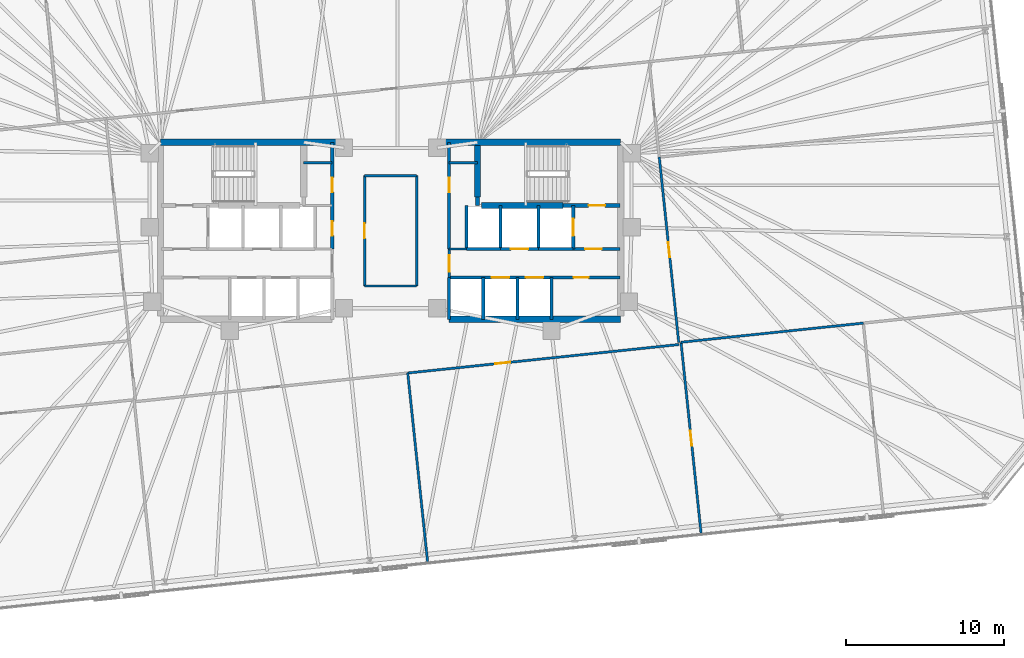
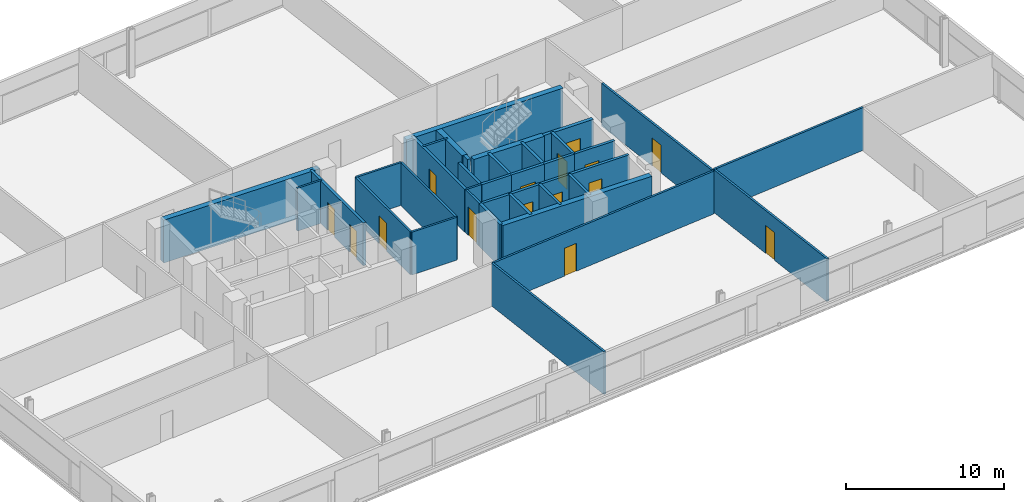
# One storey, part 15 of 18: 35 walls, 15 doors, 15 openings.
"""IFC4 building model written with IfcOpenShell, lengths in metres."""

from ifc_helpers import new_model, si_unit, direction, frame, frame_2d, origin, place, context, subcontext, project, spatial, rectangle, extrude, material, layer, layer_set, type_object, element, fill, save


model = new_model("IFC4")

# Units and contexts
model_context = context("Model", 3, precision=1e-05, world=origin(), true_north=direction((0.0, 1.0)))
body_context = subcontext(model_context, "Body", "Model", "MODEL_VIEW")
ifc_project = project(units=[si_unit("LENGTHUNIT", "METRE"), si_unit("AREAUNIT", "SQUARE_METRE"), si_unit("VOLUMEUNIT", "CUBIC_METRE"), si_unit("PLANEANGLEUNIT", "RADIAN"), si_unit("MASSUNIT", "GRAM", prefix="KILO")], contexts=[model_context])

# Site, building, storey
site_placement = place(None, origin())
site = spatial("IfcSite", under=ifc_project, at=site_placement, CompositionType="ELEMENT")
building_placement = place(site_placement, origin())
building = spatial("IfcBuilding", under=site, at=building_placement, Name="Menara Jurai Vektor", CompositionType="ELEMENT")
storey_placement = place(building_placement, frame((0.0, 0.0, 139.199951171875)))
storey = spatial("IfcBuildingStorey", under=building, at=storey_placement, Name="L35", CompositionType="ELEMENT", Elevation=139.199951171875)

# Wall, opening, door
ifc_material_1 = material(Name="Concrete C40/50", Category="concrete")
ifc_layer_1 = layer(ifc_material_1, 0.25)
ifc_layer_set_1 = layer_set([ifc_layer_1], Name="Concrete C40/50")
wall_type_1 = type_object("IfcWallType", Name="INT-WALL-CORE-250", PredefinedType="STANDARD", material=ifc_layer_set_1)
wall_1_placement = place(storey_placement, frame((10.89990234375, 1.60009765625, 0.0), z_axis=(0.0, 0.0, 1.0), x_axis=(1.0, 0.0, 0.0)))
wall_1 = element("IfcWall", 1, at=wall_1_placement, inside=storey, type_object=wall_type_1, Name="Interior Wall IW-250 L35", PredefinedType="STANDARD", context=body_context, shape_type="SweptSolid", body=[
    extrude(rectangle(XDim=3.60009765625, YDim=0.25, at=frame_2d((1.800048828125, 0.0))), origin(), (0.0, 0.0, 1.0), 3.300048828125),
])
opening_1_placement = place(wall_1_placement, frame((1.6201171875, 0.0, 0.0)))
opening_1 = element("IfcOpeningElement", 2, at=opening_1_placement, cuts=wall_1, Name="Opening D-L35-ST2", PredefinedType="OPENING", context=body_context, shape_type="SweptSolid", body=[
    extrude(rectangle(XDim=1.050048828125, YDim=2.14990234375, at=frame_2d((0.52490234375, 1.074951171875))), frame((0.0, 0.135009765625, 0.0), z_axis=(0.0, -1.0, 0.0), x_axis=(1.0, 0.0, 0.0)), (0.0, 0.0, 1.0), 0.27001953125),
])
ifc_material_2 = material(Name="Fire-Rated Steel Door", Category="steel")
door_type_1 = type_object("IfcDoorType", Name="DR-STAIR-1050", OperationType="NOTDEFINED", PredefinedType="DOOR", material=ifc_material_2)
door_1_placement = place(opening_1_placement, origin())
door_1 = element("IfcDoor", 3, at=door_1_placement, inside=storey, type_object=door_type_1, Name="Exit Stair ST2 Door L35", OperationType="SINGLE_SWING_LEFT", OverallHeight=2.14990234375, OverallWidth=1.050048828125, PredefinedType="DOOR", context=body_context, shape_type="SweptSolid", body=[
    extrude(rectangle(XDim=1.050048828125, YDim=2.14990234375, at=frame_2d((0.52490234375, 1.074951171875))), frame((0.0, 0.02490234375, 0.0), z_axis=(0.0, -1.0, 0.0), x_axis=(1.0, 0.0, 0.0)), (0.0, 0.0, 1.0), 0.050048828125),
])
fill(opening_1, door_1)

# Wall
wall_2_placement = place(storey_placement, frame((5.5, 1.60009765625, 0.0), z_axis=(0.0, 0.0, 1.0), x_axis=(0.0, 1.0, 0.0)))
element("IfcWall", 4, at=wall_2_placement, inside=storey, type_object=wall_type_1, Name="Interior Wall IW-250 L35", PredefinedType="STANDARD", context=body_context, shape_type="SweptSolid", body=[
    extrude(rectangle(XDim=0.5498046875, YDim=0.25, at=frame_2d((0.27490234375, 0.0))), origin(), (0.0, 0.0, 1.0), 3.300048828125),
])

# Wall, opening, door
wall_3_placement = place(storey_placement, frame((11.550048828125, -1.14990234375, 0.0), z_axis=(0.0, 0.0, 1.0), x_axis=(0.0, 1.0, 0.0)))
wall_3 = element("IfcWall", 5, at=wall_3_placement, inside=storey, type_object=wall_type_1, Name="Interior Wall IW-250 L35", PredefinedType="STANDARD", context=body_context, shape_type="SweptSolid", body=[
    extrude(rectangle(XDim=2.75, YDim=0.199951171875, at=frame_2d((1.375, 0.0))), origin(), (0.0, 0.0, 1.0), 3.300048828125),
])
opening_2_placement = place(wall_3_placement, frame((0.824951171875, 0.0, 0.0)))
opening_2 = element("IfcOpeningElement", 6, at=opening_2_placement, cuts=wall_3, Name="Opening LD-L35-FL2", PredefinedType="OPENING", context=body_context, shape_type="SweptSolid", body=[
    extrude(rectangle(XDim=1.10009765625, YDim=2.14990234375, at=frame_2d((0.550048828125, 1.074951171875))), frame((0.0, 0.10986328125, 0.0), z_axis=(0.0, -1.0, 0.0), x_axis=(1.0, 0.0, 0.0)), (0.0, 0.0, 1.0), 0.219970703125),
])
ifc_material_3 = material(Name="Stainless Steel Sliding Lift Landing Door", Category="steel")
door_type_2 = type_object("IfcDoorType", Name="DR-LIFT-FIRE-1100", OperationType="NOTDEFINED", PredefinedType="DOOR", material=ifc_material_3)
door_2_placement = place(opening_2_placement, origin())
door_2 = element("IfcDoor", 7, at=door_2_placement, inside=storey, type_object=door_type_2, Name="Lift Landing Door FL2 L35", OperationType="SLIDING_TO_RIGHT", OverallHeight=2.14990234375, OverallWidth=1.10009765625, PredefinedType="DOOR", context=body_context, shape_type="SweptSolid", body=[
    extrude(rectangle(XDim=1.10009765625, YDim=2.14990234375, at=frame_2d((0.550048828125, 1.074951171875))), frame((0.0, 0.02490234375, 0.0), z_axis=(0.0, -1.0, 0.0), x_axis=(1.0, 0.0, 0.0)), (0.0, 0.0, 1.0), 0.050048828125),
])
fill(opening_2, door_2)

# Wall
wall_4_placement = place(storey_placement, frame((9.35009765625, -1.14990234375, 0.0), z_axis=(0.0, 0.0, 1.0), x_axis=(0.0, 1.0, 0.0)))
element("IfcWall", 8, at=wall_4_placement, inside=storey, type_object=wall_type_1, Name="Interior Wall IW-250 L35", PredefinedType="STANDARD", context=body_context, shape_type="SweptSolid", body=[
    extrude(rectangle(XDim=2.75, YDim=0.199951171875, at=frame_2d((1.375, 0.0))), origin(), (0.0, 0.0, 1.0), 3.300048828125),
])

# Wall, opening, door
wall_5_placement = place(storey_placement, frame((11.550048828125, -1.14990234375, 0.0), z_axis=(0.0, 0.0, 1.0), x_axis=(1.0, 0.0, 0.0)))
wall_5 = element("IfcWall", 9, at=wall_5_placement, inside=storey, type_object=wall_type_1, Name="Interior Wall IW-250 L35", PredefinedType="STANDARD", context=body_context, shape_type="SweptSolid", body=[
    extrude(rectangle(XDim=2.949951171875, YDim=0.199951171875, at=frame_2d((1.47509765625, 0.0))), origin(), (0.0, 0.0, 1.0), 3.300048828125),
])
opening_3_placement = place(wall_5_placement, frame((0.75, 0.0, 0.0)))
opening_3 = element("IfcOpeningElement", 10, at=opening_3_placement, cuts=wall_5, Name="Opening D-L35-FFE", PredefinedType="OPENING", context=body_context, shape_type="SweptSolid", body=[
    extrude(rectangle(XDim=1.050048828125, YDim=2.179931640625, at=frame_2d((0.52490234375, 1.08984375))), frame((0.0, 0.10986328125, 0.0), z_axis=(0.0, -1.0, 0.0), x_axis=(1.0, 0.0, 0.0)), (0.0, 0.0, 1.0), 0.219970703125),
])
ifc_material_4 = material(Name="Fire-Rated Timber Door", Category="wood")
door_type_3 = type_object("IfcDoorType", Name="DR-LOBBY-1050", OperationType="NOTDEFINED", PredefinedType="DOOR", material=ifc_material_4)
door_3_placement = place(opening_3_placement, origin())
door_3 = element("IfcDoor", 11, at=door_3_placement, inside=storey, type_object=door_type_3, Name="Fire Lift Lobby Door E L35", OperationType="SINGLE_SWING_LEFT", OverallHeight=2.179931640625, OverallWidth=1.050048828125, PredefinedType="DOOR", context=body_context, shape_type="SweptSolid", body=[
    extrude(rectangle(XDim=1.050048828125, YDim=2.179931640625, at=frame_2d((0.52490234375, 1.08984375))), frame((0.0, 0.02490234375, 0.0), z_axis=(0.0, -1.0, 0.0), x_axis=(1.0, 0.0, 0.0)), (0.0, 0.0, 1.0), 0.050048828125),
])
fill(opening_3, door_3)

# Wall
wall_6_placement = place(storey_placement, frame((9.35009765625, -1.14990234375, 0.0), z_axis=(0.0, 0.0, 1.0), x_axis=(1.0, 0.0, 0.0)))
element("IfcWall", 12, at=wall_6_placement, inside=storey, type_object=wall_type_1, Name="Interior Wall IW-250 L35", PredefinedType="STANDARD", context=body_context, shape_type="SweptSolid", body=[
    extrude(rectangle(XDim=2.199951171875, YDim=0.199951171875, at=frame_2d((1.10009765625, 0.0))), origin(), (0.0, 0.0, 1.0), 3.300048828125),
])

# Wall, opening, door
ifc_material_5 = material(Name="Gypsum Fireboard Partition", Category="gypsum")
ifc_layer_2 = layer(ifc_material_5, 0.14990234375)
ifc_layer_set_2 = layer_set([ifc_layer_2], Name="Gypsum Fireboard Partition")
wall_type_2 = type_object("IfcWallType", Name="INT-WALL-CORR-150", PredefinedType="PARTITIONING", material=ifc_layer_set_2)
wall_7_placement = place(storey_placement, frame((3.699951171875, -2.949951171875, 0.0), z_axis=(0.0, 0.0, 1.0), x_axis=(0.0, 1.0, 0.0)))
wall_7 = element("IfcWall", 13, at=wall_7_placement, inside=storey, type_object=wall_type_2, Name="Interior Wall IW-150 L35", PredefinedType="PARTITIONING", context=body_context, shape_type="SweptSolid", body=[
    extrude(rectangle(XDim=1.800048828125, YDim=0.14990234375, at=frame_2d((0.89990234375, 0.0))), origin(), (0.0, 0.0, 1.0), 3.300048828125),
])
opening_4_placement = place(wall_7_placement, frame((0.35009765625, 0.0, 0.0)))
opening_4 = element("IfcOpeningElement", 14, at=opening_4_placement, cuts=wall_7, Name="Opening D-L35-LLE", PredefinedType="OPENING", context=body_context, shape_type="SweptSolid", body=[
    extrude(rectangle(XDim=1.050048828125, YDim=2.179931640625, at=frame_2d((0.52490234375, 1.08984375))), frame((0.0, 0.0849609375, 0.0), z_axis=(0.0, -1.0, 0.0), x_axis=(1.0, 0.0, 0.0)), (0.0, 0.0, 1.0), 0.169921875),
])
door_4_placement = place(opening_4_placement, frame((1.050048828125, 0.0, 0.0), z_axis=(0.0, 0.0, 1.0), x_axis=(-1.0, 0.0, 0.0)))
door_4 = element("IfcDoor", 15, at=door_4_placement, inside=storey, type_object=door_type_3, Name="Lift Lobby Corridor Door E L35", OperationType="SINGLE_SWING_RIGHT", OverallHeight=2.179931640625, OverallWidth=1.050048828125, PredefinedType="DOOR", context=body_context, shape_type="SweptSolid", body=[
    extrude(rectangle(XDim=1.050048828125, YDim=2.179931640625, at=frame_2d((0.52490234375, 1.08984375))), frame((0.0, 0.02490234375, 0.0), z_axis=(0.0, -1.0, 0.0), x_axis=(1.0, 0.0, 0.0)), (0.0, 0.0, 1.0), 0.050048828125),
])
fill(opening_4, door_4)

# Walls
wall_8_placement = place(storey_placement, frame((3.699951171875, -1.14990234375, 0.0), z_axis=(0.0, 0.0, 1.0), x_axis=(1.0, 0.0, 0.0)))
element("IfcWall", 16, at=wall_8_placement, inside=storey, type_object=wall_type_2, Name="Interior Wall IW-150 L35", PredefinedType="PARTITIONING", context=body_context, shape_type="SweptSolid", body=[
    extrude(rectangle(XDim=1.090087890625, YDim=0.14990234375, at=frame_2d((0.544921875, 0.0))), origin(), (0.0, 0.0, 1.0), 3.300048828125),
])
for number, where, z_axis, x_axis, name in (
    (17, (-5.5, 4.300048828125, 0.0), (0.0, 0.0, 1.0), (1.0, 0.0, 0.0), "Interior Wall IW-150 L35"),
    (18, (3.699951171875, 4.300048828125, 0.0), (0.0, 0.0, 1.0), (1.0, 0.0, 0.0), "Interior Wall IW-150 L35"),
):
    element("IfcWall", number, at=place(storey_placement, frame(where, z_axis=z_axis, x_axis=x_axis)), inside=storey, type_object=wall_type_2, Name=name, PredefinedType="PARTITIONING", context=body_context, shape_type="SweptSolid", body=[
        extrude(rectangle(XDim=1.800048828125, YDim=0.14990234375, at=frame_2d((0.89990234375, 0.0))), origin(), (0.0, 0.0, 1.0), 3.300048828125),
    ])

# Wall, opening, door
wall_9_placement = place(storey_placement, frame((-1.649658203125, -3.490478515625, 0.0), z_axis=(0.0, 0.0, 1.0), x_axis=(-0.000104928124, 0.999999994495, 0.0)))
wall_9 = element("IfcWall", 19, at=wall_9_placement, inside=storey, type_object=wall_type_2, Name="Interior Wall IW-150 L35", PredefinedType="PARTITIONING", context=body_context, shape_type="SweptSolid", body=[
    extrude(rectangle(XDim=6.980224609375, YDim=0.14990234375, at=frame_2d((3.490234375, 0.0))), origin(), (0.0, 0.0, 1.0), 3.300048828125),
])
opening_5_placement = place(wall_9_placement, frame((3.01513671875, 0.0, 0.0)))
opening_5 = element("IfcOpeningElement", 20, at=opening_5_placement, cuts=wall_9, Name="Opening D35-06", PredefinedType="OPENING", context=body_context, shape_type="SweptSolid", body=[
    extrude(rectangle(XDim=0.949951171875, YDim=2.14990234375, at=frame_2d((0.47509765625, 1.074951171875))), frame((0.0, 0.0849609375, 0.0), z_axis=(0.0, -1.0, 0.0), x_axis=(1.0, 0.0, 0.0)), (0.0, 0.0, 1.0), 0.169921875),
])
ifc_material_6 = material(Name="Solid Core Timber Fire Door", Category="wood")
door_type_4 = type_object("IfcDoorType", Name="DR-ENTRY-950", OperationType="NOTDEFINED", PredefinedType="DOOR", material=ifc_material_6)
door_5_placement = place(opening_5_placement, origin())
door_5 = element("IfcDoor", 21, at=door_5_placement, inside=storey, type_object=door_type_4, Name="Interior Door D35-06", OperationType="SINGLE_SWING_LEFT", OverallHeight=2.14990234375, OverallWidth=0.949951171875, PredefinedType="DOOR", context=body_context, shape_type="SweptSolid", body=[
    extrude(rectangle(XDim=0.949951171875, YDim=2.14990234375, at=frame_2d((0.47509765625, 1.074951171875))), frame((0.0, 0.02490234375, 0.0), z_axis=(0.0, -1.0, 0.0), x_axis=(1.0, 0.0, 0.0)), (0.0, 0.0, 1.0), 0.050048828125),
])
fill(opening_5, door_5)

# Walls
wall_10_placement = place(storey_placement, frame((-1.649658203125, -3.490478515625, 0.0), z_axis=(0.0, 0.0, 1.0), x_axis=(1.0, 0.0, 0.0)))
element("IfcWall", 22, at=wall_10_placement, inside=storey, type_object=wall_type_2, Name="Interior Wall IW-150 L35", PredefinedType="PARTITIONING", context=body_context, shape_type="SweptSolid", body=[
    extrude(rectangle(XDim=3.300048828125, YDim=0.14990234375, at=frame_2d((1.64990234375, 0.0))), origin(), (0.0, 0.0, 1.0), 3.300048828125),
])
wall_11_placement = place(storey_placement, frame((-1.650390625, 3.48974609375, 0.0), z_axis=(0.0, 0.0, 1.0), x_axis=(1.0, 0.0, 0.0)))
element("IfcWall", 23, at=wall_11_placement, inside=storey, type_object=wall_type_2, Name="Interior Wall IW-150 L35", PredefinedType="PARTITIONING", context=body_context, shape_type="SweptSolid", body=[
    extrude(rectangle(XDim=3.30029296875, YDim=0.14990234375, at=frame_2d((1.650146484375, 0.0))), origin(), (0.0, 0.0, 1.0), 3.300048828125),
])
wall_12_placement = place(storey_placement, frame((1.650390625, -3.490478515625, 0.0), z_axis=(0.0, 0.0, 1.0), x_axis=(-6.9952083e-05, 0.999999997553, 0.0)))
element("IfcWall", 24, at=wall_12_placement, inside=storey, type_object=wall_type_2, Name="Interior Wall IW-150 L35", PredefinedType="PARTITIONING", context=body_context, shape_type="SweptSolid", body=[
    extrude(rectangle(XDim=6.980224609375, YDim=0.14990234375, at=frame_2d((3.490234375, 0.0))), origin(), (0.0, 0.0, 1.0), 3.300048828125),
])

# Wall, opening, door
wall_13_placement = place(storey_placement, frame((1.08203125, -8.9990234375, 0.0), z_axis=(0.0, 0.0, 1.0), x_axis=(0.994522803526, 0.104519822363, 0.0)))
wall_13 = element("IfcWall", 25, at=wall_13_placement, inside=storey, type_object=wall_type_2, Name="Interior Wall IW-150 L35", PredefinedType="PARTITIONING", context=body_context, shape_type="SweptSolid", body=[
    extrude(rectangle(XDim=17.257080078125, YDim=0.14990234375, at=frame_2d((8.62841796875, 0.0))), origin(), (0.0, 0.0, 1.0), 3.300048828125),
])
opening_6_placement = place(wall_13_placement, frame((5.56494140625, 0.0, 0.0)))
opening_6 = element("IfcOpeningElement", 26, at=opening_6_placement, cuts=wall_13, Name="Opening D35-11", PredefinedType="OPENING", context=body_context, shape_type="SweptSolid", body=[
    extrude(rectangle(XDim=0.949951171875, YDim=2.14990234375, at=frame_2d((0.47509765625, 1.074951171875))), frame((0.0, 0.0849609375, 0.0), z_axis=(0.0, -1.0, 0.0), x_axis=(1.0, 0.0, 0.0)), (0.0, 0.0, 1.0), 0.169921875),
])
door_6_placement = place(opening_6_placement, origin())
door_6 = element("IfcDoor", 27, at=door_6_placement, inside=storey, type_object=door_type_4, Name="Interior Door D35-11", OperationType="SINGLE_SWING_RIGHT", OverallHeight=2.14990234375, OverallWidth=0.949951171875, PredefinedType="DOOR", context=body_context, shape_type="SweptSolid", body=[
    extrude(rectangle(XDim=0.949951171875, YDim=2.14990234375, at=frame_2d((0.47509765625, 1.074951171875))), frame((0.0, 0.02490234375, 0.0), z_axis=(0.0, -1.0, 0.0), x_axis=(1.0, 0.0, 0.0)), (0.0, 0.0, 1.0), 0.050048828125),
])
fill(opening_6, door_6)

wall_14_placement = place(storey_placement, frame((18.231201171875, -7.06787109375, 0.0), z_axis=(0.0, 0.0, 1.0), x_axis=(-0.104536082083, 0.994521094569, 0.0)))
wall_14 = element("IfcWall", 28, at=wall_14_placement, inside=storey, type_object=wall_type_2, Name="Interior Wall IW-150 L35", PredefinedType="PARTITIONING", context=body_context, shape_type="SweptSolid", body=[
    extrude(rectangle(XDim=11.794189453125, YDim=0.14990234375, at=frame_2d((5.89697265625, 0.0))), origin(), (0.0, 0.0, 1.0), 3.300048828125),
])
opening_7_placement = place(wall_14_placement, frame((5.422119140625, 0.0, 0.0)))
opening_7 = element("IfcOpeningElement", 29, at=opening_7_placement, cuts=wall_14, Name="Opening D35-15", PredefinedType="OPENING", context=body_context, shape_type="SweptSolid", body=[
    extrude(rectangle(XDim=0.949951171875, YDim=2.14990234375, at=frame_2d((0.47509765625, 1.074951171875))), frame((0.0, 0.0849609375, 0.0), z_axis=(0.0, -1.0, 0.0), x_axis=(1.0, 0.0, 0.0)), (0.0, 0.0, 1.0), 0.169921875),
])
door_7_placement = place(opening_7_placement, origin())
door_7 = element("IfcDoor", 30, at=door_7_placement, inside=storey, type_object=door_type_4, Name="Interior Door D35-15", OperationType="SINGLE_SWING_RIGHT", OverallHeight=2.14990234375, OverallWidth=0.949951171875, PredefinedType="DOOR", context=body_context, shape_type="SweptSolid", body=[
    extrude(rectangle(XDim=0.949951171875, YDim=2.14990234375, at=frame_2d((0.47509765625, 1.074951171875))), frame((0.0, 0.02490234375, 0.0), z_axis=(0.0, -1.0, 0.0), x_axis=(1.0, 0.0, 0.0)), (0.0, 0.0, 1.0), 0.050048828125),
])
fill(opening_7, door_7)

# Wall
wall_15_placement = place(storey_placement, frame((2.34619140625, -21.02587890625, 0.0), z_axis=(0.0, 0.0, 1.0), x_axis=(-0.104535555083, 0.994521149963, 0.0)))
element("IfcWall", 31, at=wall_15_placement, inside=storey, type_object=wall_type_2, Name="Interior Wall IW-150 L35", PredefinedType="PARTITIONING", context=body_context, shape_type="SweptSolid", body=[
    extrude(rectangle(XDim=12.093017578125, YDim=0.14990234375, at=frame_2d((6.04638671875, 0.0))), origin(), (0.0, 0.0, 1.0), 3.300048828125),
])

# Wall, opening, door
wall_16_placement = place(storey_placement, frame((19.65087890625, -19.20703125, 0.0), z_axis=(0.0, 0.0, 1.0), x_axis=(-0.104540236679, 0.994520657862, 0.0)))
wall_16 = element("IfcWall", 32, at=wall_16_placement, inside=storey, type_object=wall_type_2, Name="Interior Wall IW-150 L35", PredefinedType="PARTITIONING", context=body_context, shape_type="SweptSolid", body=[
    extrude(rectangle(XDim=12.220947265625, YDim=0.14990234375, at=frame_2d((6.1103515625, 0.0))), origin(), (0.0, 0.0, 1.0), 3.300048828125),
])
opening_8_placement = place(wall_16_placement, frame((5.635498046875, 0.0, 0.0)))
opening_8 = element("IfcOpeningElement", 33, at=opening_8_placement, cuts=wall_16, Name="Opening D35-20", PredefinedType="OPENING", context=body_context, shape_type="SweptSolid", body=[
    extrude(rectangle(XDim=0.949951171875, YDim=2.14990234375, at=frame_2d((0.47509765625, 1.074951171875))), frame((0.0, 0.0849609375, 0.0), z_axis=(0.0, -1.0, 0.0), x_axis=(1.0, 0.0, 0.0)), (0.0, 0.0, 1.0), 0.169921875),
])
door_8_placement = place(opening_8_placement, origin())
door_8 = element("IfcDoor", 34, at=door_8_placement, inside=storey, type_object=door_type_4, Name="Interior Door D35-20", OperationType="SINGLE_SWING_LEFT", OverallHeight=2.14990234375, OverallWidth=0.949951171875, PredefinedType="DOOR", context=body_context, shape_type="SweptSolid", body=[
    extrude(rectangle(XDim=0.949951171875, YDim=2.14990234375, at=frame_2d((0.47509765625, 1.074951171875))), frame((0.0, 0.02490234375, 0.0), z_axis=(0.0, -1.0, 0.0), x_axis=(1.0, 0.0, 0.0)), (0.0, 0.0, 1.0), 0.050048828125),
])
fill(opening_8, door_8)

# Wall
wall_17_placement = place(storey_placement, frame((18.373291015625, -7.052978515625, 0.0), z_axis=(0.0, 0.0, 1.0), x_axis=(0.994521010406, 0.104536882776, 0.0)))
element("IfcWall", 35, at=wall_17_placement, inside=storey, type_object=wall_type_2, Name="Interior Wall IW-150 L35", PredefinedType="PARTITIONING", context=body_context, shape_type="SweptSolid", body=[
    extrude(rectangle(XDim=11.60009765625, YDim=0.14990234375, at=frame_2d((5.800048828125, 0.0))), origin(), (0.0, 0.0, 1.0), 3.300048828125),
])

# Wall, openings, doors
ifc_layer_3 = layer(ifc_material_1, 0.199951171875)
ifc_layer_set_3 = layer_set([ifc_layer_3], Name="Concrete C40/50")
wall_type_3 = type_object("IfcWallType", Name="INT-WALL-SHAFT-200", PredefinedType="STANDARD", material=ifc_layer_set_3)
wall_18_placement = place(storey_placement, frame((-3.699951171875, -1.14990234375, 0.0), z_axis=(0.0, 0.0, 1.0), x_axis=(0.0, 1.0, 0.0)))
wall_18 = element("IfcWall", 36, at=wall_18_placement, inside=storey, type_object=wall_type_3, Name="Interior Wall IW-200 L35", PredefinedType="STANDARD", context=body_context, shape_type="SweptSolid", body=[
    extrude(rectangle(XDim=6.75, YDim=0.199951171875, at=frame_2d((3.375, 0.0))), origin(), (0.0, 0.0, 1.0), 3.300048828125),
])
opening_9_placement = place(wall_18_placement, frame((3.60009765625, 0.0, 0.0)))
opening_9 = element("IfcOpeningElement", 37, at=opening_9_placement, cuts=wall_18, Name="Opening D35-02", PredefinedType="OPENING", context=body_context, shape_type="SweptSolid", body=[
    extrude(rectangle(XDim=0.919921875, YDim=2.14990234375, at=frame_2d((0.4599609375, 1.074951171875))), frame((0.0, 0.10986328125, 0.0), z_axis=(0.0, -1.0, 0.0), x_axis=(1.0, 0.0, 0.0)), (0.0, 0.0, 1.0), 0.219970703125),
])
opening_10_placement = place(wall_18_placement, frame((0.85009765625, 0.0, 0.0)))
opening_10 = element("IfcOpeningElement", 38, at=opening_10_placement, cuts=wall_18, Name="Opening D35-03", PredefinedType="OPENING", context=body_context, shape_type="SweptSolid", body=[
    extrude(rectangle(XDim=0.89990234375, YDim=2.14990234375, at=frame_2d((0.449951171875, 1.074951171875))), frame((0.0, 0.10986328125, 0.0), z_axis=(0.0, -1.0, 0.0), x_axis=(1.0, 0.0, 0.0)), (0.0, 0.0, 1.0), 0.219970703125),
])
door_9_placement = place(opening_9_placement, origin())
door_9 = element("IfcDoor", 39, at=door_9_placement, inside=storey, type_object=door_type_4, Name="Interior Door D35-02", OperationType="SINGLE_SWING_LEFT", OverallHeight=2.14990234375, OverallWidth=0.919921875, PredefinedType="DOOR", context=body_context, shape_type="SweptSolid", body=[
    extrude(rectangle(XDim=0.919921875, YDim=2.14990234375, at=frame_2d((0.4599609375, 1.074951171875))), frame((0.0, 0.02490234375, 0.0), z_axis=(0.0, -1.0, 0.0), x_axis=(1.0, 0.0, 0.0)), (0.0, 0.0, 1.0), 0.050048828125),
])
fill(opening_9, door_9)
door_10_placement = place(opening_10_placement, origin())
door_10 = element("IfcDoor", 40, at=door_10_placement, inside=storey, type_object=door_type_4, Name="Interior Door D35-03", OperationType="SINGLE_SWING_LEFT", OverallHeight=2.14990234375, OverallWidth=0.89990234375, PredefinedType="DOOR", context=body_context, shape_type="SweptSolid", body=[
    extrude(rectangle(XDim=0.89990234375, YDim=2.14990234375, at=frame_2d((0.449951171875, 1.074951171875))), frame((0.0, 0.02490234375, 0.0), z_axis=(0.0, -1.0, 0.0), x_axis=(1.0, 0.0, 0.0)), (0.0, 0.0, 1.0), 0.050048828125),
])
fill(opening_10, door_10)

# Wall, opening, door
wall_19_placement = place(storey_placement, frame((3.699951171875, -1.14990234375, 0.0), z_axis=(0.0, 0.0, 1.0), x_axis=(0.0, 1.0, 0.0)))
wall_19 = element("IfcWall", 41, at=wall_19_placement, inside=storey, type_object=wall_type_3, Name="Interior Wall IW-200 L35", PredefinedType="STANDARD", context=body_context, shape_type="SweptSolid", body=[
    extrude(rectangle(XDim=6.75, YDim=0.199951171875, at=frame_2d((3.375, 0.0))), origin(), (0.0, 0.0, 1.0), 3.300048828125),
])
opening_11_placement = place(wall_19_placement, frame((3.60009765625, 0.0, 0.0)))
opening_11 = element("IfcOpeningElement", 42, at=opening_11_placement, cuts=wall_19, Name="Opening D35-05", PredefinedType="OPENING", context=body_context, shape_type="SweptSolid", body=[
    extrude(rectangle(XDim=0.919921875, YDim=2.14990234375, at=frame_2d((0.4599609375, 1.074951171875))), frame((0.0, 0.10986328125, 0.0), z_axis=(0.0, -1.0, 0.0), x_axis=(1.0, 0.0, 0.0)), (0.0, 0.0, 1.0), 0.219970703125),
])
door_11_placement = place(opening_11_placement, origin())
door_11 = element("IfcDoor", 43, at=door_11_placement, inside=storey, type_object=door_type_4, Name="Interior Door D35-05", OperationType="SINGLE_SWING_RIGHT", OverallHeight=2.14990234375, OverallWidth=0.919921875, PredefinedType="DOOR", context=body_context, shape_type="SweptSolid", body=[
    extrude(rectangle(XDim=0.919921875, YDim=2.14990234375, at=frame_2d((0.4599609375, 1.074951171875))), frame((0.0, 0.02490234375, 0.0), z_axis=(0.0, -1.0, 0.0), x_axis=(1.0, 0.0, 0.0)), (0.0, 0.0, 1.0), 0.050048828125),
])
fill(opening_11, door_11)

# Walls
wall_20_placement = place(storey_placement, frame((3.699951171875, -5.60009765625, 0.0), z_axis=(0.0, 0.0, 1.0), x_axis=(0.0, 1.0, 0.0)))
element("IfcWall", 44, at=wall_20_placement, inside=storey, type_object=wall_type_3, Name="Interior Wall IW-200 L35", PredefinedType="STANDARD", context=body_context, shape_type="SweptSolid", body=[
    extrude(rectangle(XDim=2.650146484375, YDim=0.199951171875, at=frame_2d((1.3251953125, 0.0))), origin(), (0.0, 0.0, 1.0), 3.300048828125),
])
wall_21_placement = place(storey_placement, frame((6.949951171875, -1.14990234375, 0.0), z_axis=(0.0, 0.0, 1.0), x_axis=(0.0, 1.0, 0.0)))
element("IfcWall", 45, at=wall_21_placement, inside=storey, type_object=wall_type_3, Name="Interior Wall IW-200 L35", PredefinedType="STANDARD", context=body_context, shape_type="SweptSolid", body=[
    extrude(rectangle(XDim=2.75, YDim=0.199951171875, at=frame_2d((1.375, 0.0))), origin(), (0.0, 0.0, 1.0), 3.300048828125),
])

# Wall, opening, door
wall_22_placement = place(storey_placement, frame((6.949951171875, -1.14990234375, 0.0), z_axis=(0.0, 0.0, 1.0), x_axis=(1.0, 0.0, 0.0)))
wall_22 = element("IfcWall", 46, at=wall_22_placement, inside=storey, type_object=wall_type_3, Name="Interior Wall IW-200 L35", PredefinedType="STANDARD", context=body_context, shape_type="SweptSolid", body=[
    extrude(rectangle(XDim=2.400146484375, YDim=0.199951171875, at=frame_2d((1.2001953125, 0.0))), origin(), (0.0, 0.0, 1.0), 3.300048828125),
])
opening_12_placement = place(wall_22_placement, frame((0.64990234375, 0.0, 0.0)))
opening_12 = element("IfcOpeningElement", 47, at=opening_12_placement, cuts=wall_22, Name="Opening LD-L35-SVL2", PredefinedType="OPENING", context=body_context, shape_type="SweptSolid", body=[
    extrude(rectangle(XDim=1.10009765625, YDim=2.14990234375, at=frame_2d((0.550048828125, 1.074951171875))), frame((0.0, 0.10986328125, 0.0), z_axis=(0.0, -1.0, 0.0), x_axis=(1.0, 0.0, 0.0)), (0.0, 0.0, 1.0), 0.219970703125),
])
ifc_material_7 = material(Name="Anodised Stainless Sliding Lift Landing Door", Category="steel")
door_type_5 = type_object("IfcDoorType", Name="DR-LIFT-PASS-1100", OperationType="NOTDEFINED", PredefinedType="DOOR", material=ifc_material_7)
door_12_placement = place(opening_12_placement, origin())
door_12 = element("IfcDoor", 48, at=door_12_placement, inside=storey, type_object=door_type_5, Name="Lift Landing Door SVL2 L35", OperationType="SLIDING_TO_RIGHT", OverallHeight=2.14990234375, OverallWidth=1.10009765625, PredefinedType="DOOR", context=body_context, shape_type="SweptSolid", body=[
    extrude(rectangle(XDim=1.10009765625, YDim=2.14990234375, at=frame_2d((0.550048828125, 1.074951171875))), frame((0.0, 0.02490234375, 0.0), z_axis=(0.0, -1.0, 0.0), x_axis=(1.0, 0.0, 0.0)), (0.0, 0.0, 1.0), 0.050048828125),
])
fill(opening_12, door_12)

# Walls
wall_23_placement = place(storey_placement, frame((4.7900390625, -1.14990234375, 0.0), z_axis=(0.0, 0.0, 1.0), x_axis=(0.0, 1.0, 0.0)))
element("IfcWall", 49, at=wall_23_placement, inside=storey, type_object=wall_type_3, Name="Interior Wall IW-200 L35", PredefinedType="STANDARD", context=body_context, shape_type="SweptSolid", body=[
    extrude(rectangle(XDim=2.75, YDim=0.199951171875, at=frame_2d((1.375, 0.0))), origin(), (0.0, 0.0, 1.0), 3.300048828125),
])
wall_24_placement = place(storey_placement, frame((4.7900390625, -1.14990234375, 0.0), z_axis=(0.0, 0.0, 1.0), x_axis=(1.0, 0.0, 0.0)))
element("IfcWall", 50, at=wall_24_placement, inside=storey, type_object=wall_type_3, Name="Interior Wall IW-200 L35", PredefinedType="STANDARD", context=body_context, shape_type="SweptSolid", body=[
    extrude(rectangle(XDim=2.159912109375, YDim=0.199951171875, at=frame_2d((1.080078125, 0.0))), origin(), (0.0, 0.0, 1.0), 3.300048828125),
])

# Wall, openings, doors
wall_25_placement = place(storey_placement, frame((3.699951171875, -2.949951171875, 0.0), z_axis=(0.0, 0.0, 1.0), x_axis=(1.0, 0.0, 0.0)))
wall_25 = element("IfcWall", 51, at=wall_25_placement, inside=storey, type_object=wall_type_3, Name="Interior Wall IW-200 L35", PredefinedType="STANDARD", context=body_context, shape_type="SweptSolid", body=[
    extrude(rectangle(XDim=10.800048828125, YDim=0.199951171875, at=frame_2d((5.39990234375, 0.0))), origin(), (0.0, 0.0, 1.0), 3.300048828125),
])
opening_13_placement = place(wall_25_placement, frame((2.68994140625, 0.0, 0.0)))
opening_13 = element("IfcOpeningElement", 52, at=opening_13_placement, cuts=wall_25, Name="Opening LD-L35-PM3", PredefinedType="OPENING", context=body_context, shape_type="SweptSolid", body=[
    extrude(rectangle(XDim=1.10009765625, YDim=2.14990234375, at=frame_2d((0.550048828125, 1.074951171875))), frame((0.0, 0.10986328125, 0.0), z_axis=(0.0, -1.0, 0.0), x_axis=(1.0, 0.0, 0.0)), (0.0, 0.0, 1.0), 0.219970703125),
])
opening_14_placement = place(wall_25_placement, frame((4.85009765625, 0.0, 0.0)))
opening_14 = element("IfcOpeningElement", 53, at=opening_14_placement, cuts=wall_25, Name="Opening LD-L35-PM4", PredefinedType="OPENING", context=body_context, shape_type="SweptSolid", body=[
    extrude(rectangle(XDim=1.10009765625, YDim=2.14990234375, at=frame_2d((0.550048828125, 1.074951171875))), frame((0.0, 0.10986328125, 0.0), z_axis=(0.0, -1.0, 0.0), x_axis=(1.0, 0.0, 0.0)), (0.0, 0.0, 1.0), 0.219970703125),
])
opening_15_placement = place(wall_25_placement, frame((7.8798828125, 0.0, 0.0)))
opening_15 = element("IfcOpeningElement", 54, at=opening_15_placement, cuts=wall_25, Name="Opening D35-04", PredefinedType="OPENING", context=body_context, shape_type="SweptSolid", body=[
    extrude(rectangle(XDim=0.949951171875, YDim=2.14990234375, at=frame_2d((0.47509765625, 1.074951171875))), frame((0.0, 0.10986328125, 0.0), z_axis=(0.0, -1.0, 0.0), x_axis=(1.0, 0.0, 0.0)), (0.0, 0.0, 1.0), 0.219970703125),
])
door_13_placement = place(opening_15_placement, origin())
door_13 = element("IfcDoor", 55, at=door_13_placement, inside=storey, type_object=door_type_4, Name="Interior Door D35-04", OperationType="SINGLE_SWING_LEFT", OverallHeight=2.14990234375, OverallWidth=0.949951171875, PredefinedType="DOOR", context=body_context, shape_type="SweptSolid", body=[
    extrude(rectangle(XDim=0.949951171875, YDim=2.14990234375, at=frame_2d((0.47509765625, 1.074951171875))), frame((0.0, 0.02490234375, 0.0), z_axis=(0.0, -1.0, 0.0), x_axis=(1.0, 0.0, 0.0)), (0.0, 0.0, 1.0), 0.050048828125),
])
fill(opening_15, door_13)
door_14_placement = place(opening_13_placement, origin())
door_14 = element("IfcDoor", 56, at=door_14_placement, inside=storey, type_object=door_type_5, Name="Lift Landing Door PM3 L35", OperationType="SLIDING_TO_LEFT", OverallHeight=2.14990234375, OverallWidth=1.10009765625, PredefinedType="DOOR", context=body_context, shape_type="SweptSolid", body=[
    extrude(rectangle(XDim=1.10009765625, YDim=2.14990234375, at=frame_2d((0.550048828125, 1.074951171875))), frame((0.0, 0.02490234375, 0.0), z_axis=(0.0, -1.0, 0.0), x_axis=(1.0, 0.0, 0.0)), (0.0, 0.0, 1.0), 0.050048828125),
])
fill(opening_13, door_14)
door_15_placement = place(opening_14_placement, origin())
door_15 = element("IfcDoor", 57, at=door_15_placement, inside=storey, type_object=door_type_5, Name="Lift Landing Door PM4 L35", OperationType="SLIDING_TO_RIGHT", OverallHeight=2.14990234375, OverallWidth=1.10009765625, PredefinedType="DOOR", context=body_context, shape_type="SweptSolid", body=[
    extrude(rectangle(XDim=1.10009765625, YDim=2.14990234375, at=frame_2d((0.550048828125, 1.074951171875))), frame((0.0, 0.02490234375, 0.0), z_axis=(0.0, -1.0, 0.0), x_axis=(1.0, 0.0, 0.0)), (0.0, 0.0, 1.0), 0.050048828125),
])
fill(opening_14, door_15)

# Walls
wall_26_placement = place(storey_placement, frame((5.860107421875, -5.60009765625, 0.0), z_axis=(0.0, 0.0, 1.0), x_axis=(0.0, 1.0, 0.0)))
element("IfcWall", 58, at=wall_26_placement, inside=storey, type_object=wall_type_3, Name="Interior Wall IW-200 L35", PredefinedType="STANDARD", context=body_context, shape_type="SweptSolid", body=[
    extrude(rectangle(XDim=2.650146484375, YDim=0.199951171875, at=frame_2d((1.3251953125, 0.0))), origin(), (0.0, 0.0, 1.0), 3.300048828125),
])
for number, where, z_axis, x_axis, name in (
    (59, (10.179931640625, -5.60009765625, 0.0), (0.0, 0.0, 1.0), (0.0, 1.0, 0.0), "Interior Wall IW-200 L35"),
    (60, (8.02001953125, -5.60009765625, 0.0), (0.0, 0.0, 1.0), (0.0, 1.0, 0.0), "Interior Wall IW-200 L35"),
):
    element("IfcWall", number, at=place(storey_placement, frame(where, z_axis=z_axis, x_axis=x_axis)), inside=storey, type_object=wall_type_3, Name=name, PredefinedType="STANDARD", context=body_context, shape_type="SweptSolid", body=[
        extrude(rectangle(XDim=2.650146484375, YDim=0.179931640625, at=frame_2d((1.3251953125, 0.0))), origin(), (0.0, 0.0, 1.0), 3.300048828125),
    ])
ifc_material_8 = material(Name="Concrete C50/60", Category="concrete")
ifc_layer_4 = layer(ifc_material_8, 0.39990234375)
ifc_layer_set_4 = layer_set([ifc_layer_4], Name="Concrete C50/60")
wall_type_4 = type_object("IfcWallType", Name="STR-WALL-CORE400", PredefinedType="SHEAR", material=ifc_layer_set_4)
for number, where, z_axis, x_axis, name in (
    (61, (-14.56005859375, 5.60009765625, 0.0), (0.0, 0.0, 1.0), (1.0, 0.0, 0.0), "Core Shear Wall CW-W-N L35"),
    (62, (3.14990234375, 5.60009765625, 0.0), (0.0, 0.0, 1.0), (1.0, 0.0, 0.0), "Core Shear Wall CW-E-N L35"),
):
    element("IfcWall", number, at=place(storey_placement, frame(where, z_axis=z_axis, x_axis=x_axis)), inside=storey, type_object=wall_type_4, Name=name, PredefinedType="SHEAR", context=body_context, shape_type="SweptSolid", body=[
        extrude(rectangle(XDim=11.41015625, YDim=0.39990234375, at=frame_2d((5.705078125, 0.0))), origin(), (0.0, 0.0, 1.0), 3.300048828125),
    ])
wall_27_placement = place(storey_placement, frame((3.699951171875, -5.60009765625, 0.0), z_axis=(0.0, 0.0, 1.0), x_axis=(1.0, 0.0, 0.0)))
element("IfcWall", 63, at=wall_27_placement, inside=storey, type_object=wall_type_4, Name="Core Shear Wall CW-E-S L35", PredefinedType="SHEAR", context=body_context, shape_type="SweptSolid", body=[
    extrude(rectangle(XDim=10.860107421875, YDim=0.39990234375, at=frame_2d((5.43017578125, 0.0))), origin(), (0.0, 0.0, 1.0), 3.300048828125),
])
wall_28_placement = place(storey_placement, frame((5.5, 2.14990234375, 0.0), z_axis=(0.0, 0.0, 1.0), x_axis=(0.0, 1.0, 0.0)))
element("IfcWall", 64, at=wall_28_placement, inside=storey, type_object=wall_type_4, Name="Core Shear Wall CW-E-ST L35", PredefinedType="SHEAR", context=body_context, shape_type="SweptSolid", body=[
    extrude(rectangle(XDim=3.25, YDim=0.39990234375, at=frame_2d((1.625, 0.0))), origin(), (0.0, 0.0, 1.0), 3.300048828125),
])
wall_29_placement = place(storey_placement, frame((5.75, 1.60009765625, 0.0), z_axis=(0.0, 0.0, 1.0), x_axis=(1.0, 0.0, 0.0)))
element("IfcWall", 65, at=wall_29_placement, inside=storey, type_object=wall_type_4, Name="Core Shear Wall CW-E-STS L35", PredefinedType="SHEAR", context=body_context, shape_type="SweptSolid", body=[
    extrude(rectangle(XDim=5.14990234375, YDim=0.39990234375, at=frame_2d((2.574951171875, 0.0))), origin(), (0.0, 0.0, 1.0), 3.300048828125),
])

save(model, "model.ifc")
